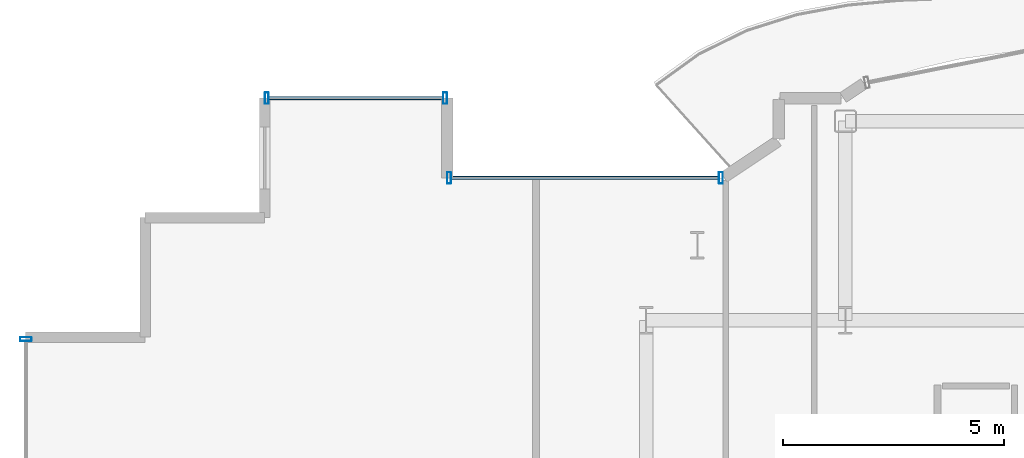
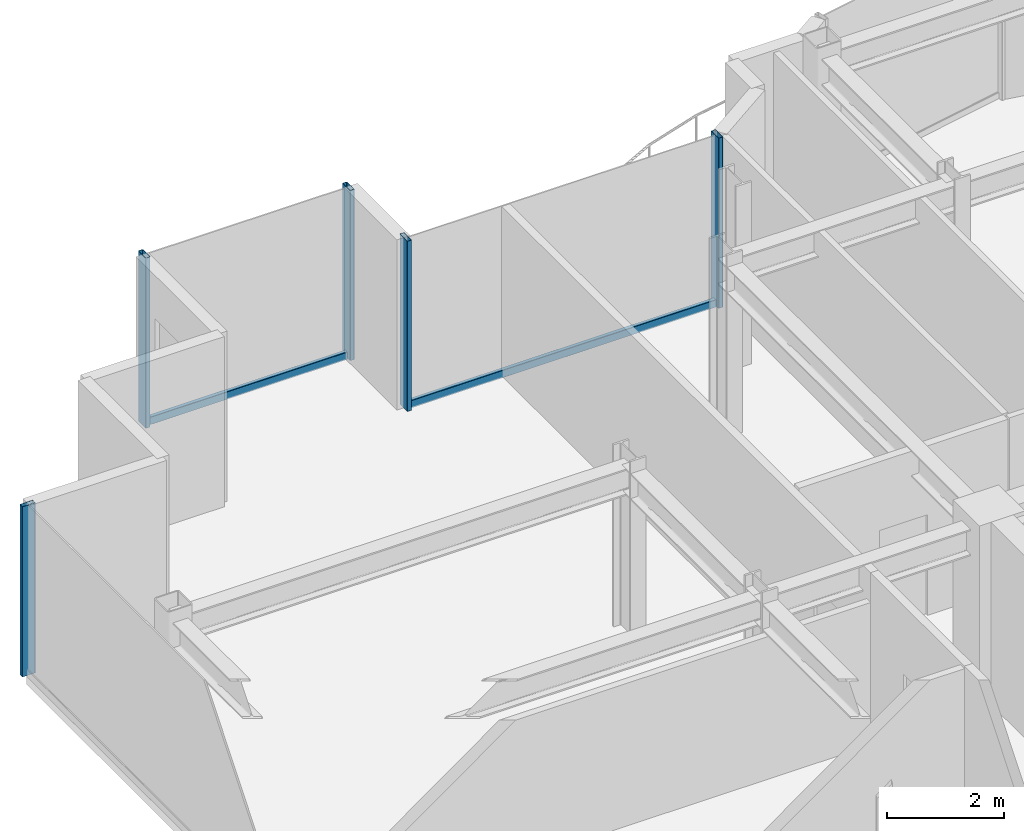
# One storey, part 9 of 18: 7 members, 3 elements without a shape of their own.
"""IFC4 building model written with IfcOpenShell, lengths in metres."""

import ifcopenshell
import ifcopenshell.guid

model = None  # the IFC model being written
_history = None  # IfcOwnerHistory: only IFC2X3 demands one
_inside = {}  # id of a spatial element -> (the spatial element, [elements in it])
_under = {}  # id of a project, library or spatial element -> (it, [spatial elements below it])
_declared = {}  # id of a project -> (the project, [libraries it declares])
_typed = {}  # id of a type object -> (the type object, [elements of that type])
_made_of = {}  # id of a material, layer set ... -> (it, [elements and type objects made of it])


def new_model(schema):
    """Start an empty IFC model of exactly this schema.

    Asked for "IFC4X3", IfcOpenShell would pick the latest addendum, in which some entities
    have other attributes; the version numbers below select the first issue.
    IFC2X3 requires an IfcOwnerHistory on every rooted entity: one is made here for all.
    """
    global model, _history
    if schema == "IFC4X3":
        model = ifcopenshell.file(schema_version=(4, 3, 0, 0))
    else:
        model = ifcopenshell.file(schema=schema)
    _inside.clear()
    _under.clear()
    _declared.clear()
    _typed.clear()
    _made_of.clear()
    _history = None
    if model.schema == "IFC2X3":
        org = make("IfcOrganization", Name="unknown")
        user = make(
            "IfcPersonAndOrganization",
            ThePerson=make("IfcPerson", FamilyName="unknown"),
            TheOrganization=org,
        )
        app = make(
            "IfcApplication",
            ApplicationDeveloper=org,
            Version="unknown",
            ApplicationFullName="unknown",
            ApplicationIdentifier="unknown",
        )
        _history = make(
            "IfcOwnerHistory",
            OwningUser=user,
            OwningApplication=app,
            ChangeAction="ADDED",
            CreationDate=0,
        )
    return model


def make(cls, **values):
    """One entity of the class cls with the attributes given. An attribute that is None is left unset."""
    return model.create_entity(
        cls, **{name: value for name, value in values.items() if value is not None}
    )


def rooted(cls, **values):
    """An entity with a GlobalId (a new one), such as an element, a storey or a relation."""
    return make(cls, GlobalId=ifcopenshell.guid.new(), OwnerHistory=_history, **values)


def si_unit(unit_type, name, prefix=None):
    """IfcSIUnit, for example si_unit("LENGTHUNIT", "METRE", prefix="MILLI")."""
    return make("IfcSIUnit", UnitType=unit_type, Prefix=prefix, Name=name)


def assignment(units):
    """IfcUnitAssignment: the units of a project."""
    return None if units is None else make("IfcUnitAssignment", Units=units)


def point(xyz):
    """IfcCartesianPoint."""
    return None if xyz is None else make("IfcCartesianPoint", Coordinates=xyz)


def direction(xyz):
    """IfcDirection."""
    return None if xyz is None else make("IfcDirection", DirectionRatios=xyz)


def frame(location, z_axis=None, x_axis=None):
    """IfcAxis2Placement3D, a coordinate frame: its origin and axes. An axis left out is left unset."""
    return make(
        "IfcAxis2Placement3D",
        Location=point(location),
        Axis=direction(z_axis),
        RefDirection=direction(x_axis),
    )


def frame_2d(location, x_axis=None):
    """IfcAxis2Placement2D, a coordinate frame in the plane: its origin and x axis."""
    return make(
        "IfcAxis2Placement2D", Location=point(location), RefDirection=direction(x_axis)
    )


def origin():
    """The frame at (0, 0, 0) with its axes left unset."""
    return frame((0.0, 0.0, 0.0))


def origin_2d():
    """The frame at (0, 0) in the plane with its x axis left unset."""
    return frame_2d((0.0, 0.0))


def place(relative_to, where):
    """IfcLocalPlacement: puts the frame where relative to a parent placement (None: the world)."""
    return make(
        "IfcLocalPlacement", PlacementRelTo=relative_to, RelativePlacement=where
    )


def context(
    kind, dimensions, precision=None, world=None, true_north=None, identifier=None
):
    """IfcGeometricRepresentationContext, for example the 3D "Model" context."""
    return make(
        "IfcGeometricRepresentationContext",
        ContextIdentifier=identifier,
        ContextType=kind,
        CoordinateSpaceDimension=dimensions,
        Precision=precision,
        WorldCoordinateSystem=world,
        TrueNorth=true_north,
    )


def subcontext(parent, identifier, kind, view, scale=None):
    """IfcGeometricRepresentationSubContext, for example "Body" below "Model"."""
    return make(
        "IfcGeometricRepresentationSubContext",
        ContextIdentifier=identifier,
        ContextType=kind,
        ParentContext=parent,
        TargetScale=scale,
        TargetView=view,
    )


def project(units=None, contexts=None):
    """IfcProject with its units and contexts."""
    return rooted(
        "IfcProject",
        Name="project",
        RepresentationContexts=contexts,
        UnitsInContext=assignment(units),
    )


def spatial(cls, under=None, at=None, **own):
    """A site, building, storey or space (cls), placed at a placement, below another one or the project."""
    s = rooted(cls, ObjectPlacement=at, **own)
    if under is not None:
        _under.setdefault(under.id(), (under, []))[1].append(s)
    return s


def profile(cls, at=None, kind="AREA", **sizes):
    """A parametric profile (cls). Its sizes go by their IFC names, for example OverallWidth=200.0."""
    return make(cls, ProfileType=kind, Position=at, **sizes)


def hollow_rectangle(**sizes):
    """IfcRectangleHollowProfileDef."""
    return profile("IfcRectangleHollowProfileDef", **sizes)


def extrude(swept, where, along, depth):
    """IfcExtrudedAreaSolid: the profile swept, set in the frame where, extruded along a direction by depth."""
    return make(
        "IfcExtrudedAreaSolid",
        SweptArea=swept,
        Position=where,
        ExtrudedDirection=direction(along),
        Depth=depth,
    )


def shape(context_of_items, identifier, shape_type, items):
    """IfcShapeRepresentation: the items that make up one representation, for example the "Body"."""
    return make(
        "IfcShapeRepresentation",
        ContextOfItems=context_of_items,
        RepresentationIdentifier=identifier,
        RepresentationType=shape_type,
        Items=items,
    )


def source(mapping_origin, context_of_items, identifier, shape_type, items):
    """IfcRepresentationMap: a shape defined once, which mapped items show again and again."""
    return make(
        "IfcRepresentationMap",
        MappingOrigin=mapping_origin,
        MappedRepresentation=shape(context_of_items, identifier, shape_type, items),
    )


def transform(
    local_origin,
    x_axis=None,
    y_axis=None,
    z_axis=None,
    scale=None,
    scale2=None,
    scale3=None,
    uniform=True,
):
    """IfcCartesianTransformationOperator3D, or its non-uniform kind. x_axis, y_axis, z_axis: its Axis1, 2, 3."""
    if uniform:
        return make(
            "IfcCartesianTransformationOperator3D",
            Axis1=direction(x_axis),
            Axis2=direction(y_axis),
            LocalOrigin=point(local_origin),
            Scale=scale,
            Axis3=direction(z_axis),
        )
    return make(
        "IfcCartesianTransformationOperator3DnonUniform",
        Axis1=direction(x_axis),
        Axis2=direction(y_axis),
        LocalOrigin=point(local_origin),
        Scale=scale,
        Axis3=direction(z_axis),
        Scale2=scale2,
        Scale3=scale3,
    )


def mapped(mapping_source, mapping_target):
    """IfcMappedItem: shows the shape of a source again, moved by a transform."""
    return make(
        "IfcMappedItem", MappingSource=mapping_source, MappingTarget=mapping_target
    )


def material(Name=None, Category=None):
    """IfcMaterial."""
    return make("IfcMaterial", Name=Name, Category=Category)


def layer(
    of_material, thickness, ventilated=None, Name=None, Category=None, Priority=None
):
    """IfcMaterialLayer: one layer of a wall or slab, of a material (None: an air gap)."""
    return make(
        "IfcMaterialLayer",
        Material=of_material,
        LayerThickness=thickness,
        IsVentilated=ventilated,
        Name=Name,
        Category=Category,
        Priority=Priority,
    )


def layer_set(layers, Name=None):
    """IfcMaterialLayerSet."""
    return make("IfcMaterialLayerSet", MaterialLayers=layers, LayerSetName=Name)


def material_profile(
    of_material, cross_section, Name=None, Category=None, Priority=None
):
    """IfcMaterialProfile: a cross section and its material."""
    return make(
        "IfcMaterialProfile",
        Name=Name,
        Material=of_material,
        Profile=cross_section,
        Priority=Priority,
        Category=Category,
    )


def profile_set(profiles, Name=None, composite=None):
    """IfcMaterialProfileSet."""
    return make(
        "IfcMaterialProfileSet",
        Name=Name,
        MaterialProfiles=profiles,
        CompositeProfile=composite,
    )


def made_of(thing, what):
    """Note that an element or type object is made of a material, layer set ...; save() writes the relation."""
    if what is not None:
        _made_of.setdefault(what.id(), (what, []))[1].append(thing)
    return thing


def type_object(cls, material=None, **own):
    """A type object (cls), such as IfcWallType, which elements share."""
    return made_of(rooted(cls, **own), material)


def element(
    cls,
    number,
    at=None,
    inside=None,
    cuts=None,
    type_object=None,
    material=None,
    context=None,
    identifier="Body",
    shape_type=None,
    held_by="IfcProductDefinitionShape",
    body=None,
    shapes=None,
    **own,
):
    """One element of the class cls, such as IfcWall. Its Tag is "e" and its number.

    at: its placement. inside: the storey or other place that contains it. cuts: it is an
    opening in that element (IfcRelVoidsElement). A single representation is given by context,
    identifier, shape_type and body (its items); several are given by shapes. held_by: the class
    of the entity that holds the representations. save() writes the other relations.
    """
    e = rooted(cls, Tag="e%d" % number, ObjectPlacement=at, **own)
    if body is not None:
        shapes = [shape(context, identifier, shape_type, body)]
    if shapes is not None:
        e.Representation = make(held_by, Representations=shapes)
    if inside is not None:
        _inside.setdefault(inside.id(), (inside, []))[1].append(e)
    if cuts is not None:
        rooted(
            "IfcRelVoidsElement", RelatingBuildingElement=cuts, RelatedOpeningElement=e
        )
    if type_object is not None:
        _typed.setdefault(type_object.id(), (type_object, []))[1].append(e)
    return made_of(e, material)


def aggregate(whole, parts):
    """IfcRelAggregates: a whole, such as a stair, and the parts it consists of."""
    return rooted("IfcRelAggregates", RelatingObject=whole, RelatedObjects=parts)


def save(model, path):
    """Write the relations noted so far, then the file.

    IfcRelAggregates (storeys below a building ...), IfcRelContainedInSpatialStructure (elements
    in a storey), IfcRelDefinesByType, IfcRelAssociatesMaterial and IfcRelDeclares: one each for
    every whole, place, type object, material and project.
    """
    for whole, parts in _under.values():
        aggregate(whole, parts)
    for where, things in _inside.values():
        rooted(
            "IfcRelContainedInSpatialStructure",
            RelatedElements=things,
            RelatingStructure=where,
        )
    for kind, things in _typed.values():
        rooted("IfcRelDefinesByType", RelatedObjects=things, RelatingType=kind)
    for what, things in _made_of.values():
        rooted("IfcRelAssociatesMaterial", RelatedObjects=things, RelatingMaterial=what)
    for by, libraries in _declared.values():
        rooted("IfcRelDeclares", RelatingContext=by, RelatedDefinitions=libraries)
    model.write(path)


model = new_model("IFC4")

# Units and contexts
model_context = context("Model", 3, precision=1e-05, world=origin(), true_north=direction((0.0, 1.0)))
body_context = subcontext(model_context, "Body", "Model", "MODEL_VIEW")
ifc_project = project(units=[si_unit("LENGTHUNIT", "METRE"), si_unit("AREAUNIT", "SQUARE_METRE"), si_unit("VOLUMEUNIT", "CUBIC_METRE"), si_unit("PLANEANGLEUNIT", "RADIAN"), si_unit("MASSUNIT", "GRAM", prefix="KILO")], contexts=[model_context])

# Site, building, storey
site_placement = place(None, origin())
site = spatial("IfcSite", under=ifc_project, at=site_placement, CompositionType="ELEMENT")
building_placement = place(site_placement, origin())
building = spatial("IfcBuilding", under=site, at=building_placement, Name="Nefas-Gora Pilgrimage Tower", CompositionType="ELEMENT")
storey_placement = place(building_placement, frame((0.0, 0.0, 306.39990234375)))
storey = spatial("IfcBuildingStorey", under=building, at=storey_placement, Name="L77", CompositionType="ELEMENT", Elevation=306.39990234375)

# Curtain wall, members
ifc_material_1 = material(Name="Dark ceramic-fritted solar-control aluminium-glass curtain wall", Category="aluminium")
ifc_layer_1 = layer(ifc_material_1, 0.219970703125)
ifc_layer_set_1 = layer_set([ifc_layer_1], Name="Dark ceramic-fritted solar-control aluminium-glass curtain wall")
curtain_wall_type_1 = type_object("IfcCurtainWallType", Name="CW-SYS-5", PredefinedType="NOTDEFINED", material=ifc_layer_set_1)
curtain_wall_1_placement = place(storey_placement, origin())
curtain_wall_1 = element("IfcCurtainWall", 1, at=curtain_wall_1_placement, inside=storey, type_object=curtain_wall_type_1, Name="L77 Unitised Curtain Wall CW5", PredefinedType="NOTDEFINED")
ifc_material_2 = material(Name="Anodised architectural aluminium", Category="aluminium")
ifc_material_profile_1 = material_profile(ifc_material_2, hollow_rectangle(XDim=0.090087890625, YDim=0.260009765625, WallThickness=0.006103515625, InnerFilletRadius=0.006103515625, OuterFilletRadius=0.011962890625, at=origin_2d()), Name="ALU MULLION 90x260")
ifc_profile_set_1 = profile_set([ifc_material_profile_1], Name="Anodised architectural aluminium")
member_type_1 = type_object("IfcMemberType", Name="CWM-MUL-5", PredefinedType="MULLION", material=ifc_profile_set_1)
shared_shape_1 = source(origin(), body_context, "Body", "SweptSolid", [
    extrude(hollow_rectangle(XDim=0.090087890625, YDim=0.260009765625, WallThickness=0.006103515625, InnerFilletRadius=0.006103515625, OuterFilletRadius=0.011962890625, at=origin_2d()), origin(), (0.0, 0.0, 1.0), 3.550048828125),
])
member_1_placement = place(storey_placement, frame((-9.56298828125, 21.219970703125, 0.0), z_axis=(0.0, 0.0, 1.0), x_axis=(-1.0, 0.0, 0.0)))
member_1 = element("IfcMember", 2, at=member_1_placement, type_object=member_type_1, Name="CW5 Mullion 1", PredefinedType="MULLION", context=body_context, shape_type="MappedRepresentation", body=[
    mapped(shared_shape_1, transform((0.0, 0.0, 0.0), x_axis=(1.0, 0.0, 0.0), y_axis=(0.0, 1.0, 0.0), z_axis=(0.0, 0.0, 1.0), scale=1.0)),
])
member_2_placement = place(storey_placement, frame((-15.705078125, 21.219970703125, 0.0), z_axis=(0.0, 0.0, 1.0), x_axis=(-1.0, 0.0, 0.0)))
member_2 = element("IfcMember", 3, at=member_2_placement, type_object=member_type_1, Name="CW5 Mullion 2", PredefinedType="MULLION", context=body_context, shape_type="MappedRepresentation", body=[
    mapped(shared_shape_1, transform((0.0, 0.0, 0.0), x_axis=(1.0, 0.0, 0.0), y_axis=(0.0, 1.0, 0.0), z_axis=(0.0, 0.0, 1.0), scale=1.0)),
])
ifc_material_profile_2 = material_profile(ifc_material_2, hollow_rectangle(XDim=0.080078125, YDim=0.159912109375, WallThickness=0.00439453125, InnerFilletRadius=0.00439453125, OuterFilletRadius=0.009033203125, at=origin_2d()), Name="ALU TRANSOM 80x160")
ifc_profile_set_2 = profile_set([ifc_material_profile_2], Name="Anodised architectural aluminium")
member_type_2 = type_object("IfcMemberType", Name="CWM-TRN-5", PredefinedType="USERDEFINED", material=ifc_profile_set_2)
shared_shape_2 = source(origin(), body_context, "Body", "SweptSolid", [
    extrude(hollow_rectangle(XDim=0.080078125, YDim=0.159912109375, WallThickness=0.00439453125, InnerFilletRadius=0.00439453125, OuterFilletRadius=0.009033203125, at=origin_2d()), origin(), (0.0, 0.0, 1.0), 6.052001953125),
])
member_3_placement = place(storey_placement, frame((-9.60791015625, 21.219970703125, 0.050048828125), z_axis=(-1.0, 0.0, 0.0), x_axis=(0.0, -1.0, 0.0)))
member_3 = element("IfcMember", 4, at=member_3_placement, type_object=member_type_2, Name="CW5 Spandrel Transom", ObjectType="TRANSOM", PredefinedType="USERDEFINED", context=body_context, shape_type="MappedRepresentation", body=[
    mapped(shared_shape_2, transform((0.0, 0.0, 0.0), x_axis=(1.0, 0.0, 0.0), y_axis=(0.0, 1.0, 0.0), z_axis=(0.0, 0.0, 1.0), scale=1.0)),
])
aggregate(curtain_wall_1, [member_1, member_2, member_3])

ifc_layer_2 = layer(ifc_material_1, 0.219970703125)
ifc_layer_set_2 = layer_set([ifc_layer_2], Name="Dark ceramic-fritted solar-control aluminium-glass curtain wall")
curtain_wall_type_2 = type_object("IfcCurtainWallType", Name="CW-SYS-4", PredefinedType="NOTDEFINED", material=ifc_layer_set_2)
curtain_wall_2_placement = place(storey_placement, origin())
curtain_wall_2 = element("IfcCurtainWall", 5, at=curtain_wall_2_placement, inside=storey, type_object=curtain_wall_type_2, Name="L77 Unitised Curtain Wall CW4", PredefinedType="NOTDEFINED")
ifc_material_profile_3 = material_profile(ifc_material_2, hollow_rectangle(XDim=0.080078125, YDim=0.159912109375, WallThickness=0.00439453125, InnerFilletRadius=0.00439453125, OuterFilletRadius=0.009033203125, at=origin_2d()), Name="ALU TRANSOM 80x160")
ifc_profile_set_3 = profile_set([ifc_material_profile_3], Name="Anodised architectural aluminium")
member_type_3 = type_object("IfcMemberType", Name="CWM-TRN-4", PredefinedType="USERDEFINED", material=ifc_profile_set_3)
shared_shape_3 = source(origin(), body_context, "Body", "SweptSolid", [
    extrude(hollow_rectangle(XDim=0.080078125, YDim=0.159912109375, WallThickness=0.00439453125, InnerFilletRadius=0.00439453125, OuterFilletRadius=0.009033203125, at=origin_2d()), origin(), (0.0, 0.0, 1.0), 3.93994140625),
])
member_4_placement = place(storey_placement, frame((-15.840087890625, 23.02001953125, 0.050048828125), z_axis=(-1.0, 0.0, 0.0), x_axis=(0.0, -1.0, 0.0)))
member_4 = element("IfcMember", 6, at=member_4_placement, type_object=member_type_3, Name="CW4 Spandrel Transom", ObjectType="TRANSOM", PredefinedType="USERDEFINED", context=body_context, shape_type="MappedRepresentation", body=[
    mapped(shared_shape_3, transform((0.0, 0.0, 0.0), x_axis=(1.0, 0.0, 0.0), y_axis=(0.0, 1.0, 0.0), z_axis=(0.0, 0.0, 1.0), scale=1.0)),
])
ifc_material_profile_4 = material_profile(ifc_material_2, hollow_rectangle(XDim=0.090087890625, YDim=0.260009765625, WallThickness=0.006103515625, InnerFilletRadius=0.006103515625, OuterFilletRadius=0.011962890625, at=origin_2d()), Name="ALU MULLION 90x260")
ifc_profile_set_4 = profile_set([ifc_material_profile_4], Name="Anodised architectural aluminium")
member_type_4 = type_object("IfcMemberType", Name="CWM-MUL-4", PredefinedType="MULLION", material=ifc_profile_set_4)
shared_shape_4 = source(origin(), body_context, "Body", "SweptSolid", [
    extrude(hollow_rectangle(XDim=0.090087890625, YDim=0.260009765625, WallThickness=0.006103515625, InnerFilletRadius=0.006103515625, OuterFilletRadius=0.011962890625, at=origin_2d()), origin(), (0.0, 0.0, 1.0), 3.550048828125),
])
member_5_placement = place(storey_placement, frame((-15.794921875, 23.02001953125, 0.0), z_axis=(0.0, 0.0, 1.0), x_axis=(-1.0, 0.0, 0.0)))
member_5 = element("IfcMember", 7, at=member_5_placement, type_object=member_type_4, Name="CW4 Mullion 1", PredefinedType="MULLION", context=body_context, shape_type="MappedRepresentation", body=[
    mapped(shared_shape_4, transform((0.0, 0.0, 0.0), x_axis=(1.0, 0.0, 0.0), y_axis=(0.0, 1.0, 0.0), z_axis=(0.0, 0.0, 1.0), scale=1.0)),
])
member_6_placement = place(storey_placement, frame((-19.824951171875, 23.02001953125, 0.0), z_axis=(0.0, 0.0, 1.0), x_axis=(-1.0, 0.0, 0.0)))
member_6 = element("IfcMember", 8, at=member_6_placement, type_object=member_type_4, Name="CW4 Mullion 2", PredefinedType="MULLION", context=body_context, shape_type="MappedRepresentation", body=[
    mapped(shared_shape_4, transform((0.0, 0.0, 0.0), x_axis=(1.0, 0.0, 0.0), y_axis=(0.0, 1.0, 0.0), z_axis=(0.0, 0.0, 1.0), scale=1.0)),
])
aggregate(curtain_wall_2, [member_5, member_6, member_4])

# Curtain wall, member
curtain_wall_3_placement = place(storey_placement, origin())
curtain_wall_3 = element("IfcCurtainWall", 9, at=curtain_wall_3_placement, inside=storey, type_object=curtain_wall_type_2, Name="L77 Unitised Curtain Wall CW4", PredefinedType="NOTDEFINED")
member_7_placement = place(storey_placement, frame((-25.27001953125, 17.574951171875, 0.0), z_axis=(0.0, 0.0, 1.0), x_axis=(0.0, -1.0, 0.0)))
member_7 = element("IfcMember", 10, at=member_7_placement, type_object=member_type_4, Name="CW4 Mullion 1", PredefinedType="MULLION", context=body_context, shape_type="MappedRepresentation", body=[
    mapped(shared_shape_4, transform((0.0, 0.0, 0.0), x_axis=(1.0, 0.0, 0.0), y_axis=(0.0, 1.0, 0.0), z_axis=(0.0, 0.0, 1.0), scale=1.0)),
])
aggregate(curtain_wall_3, [member_7])

save(model, "model.ifc")
